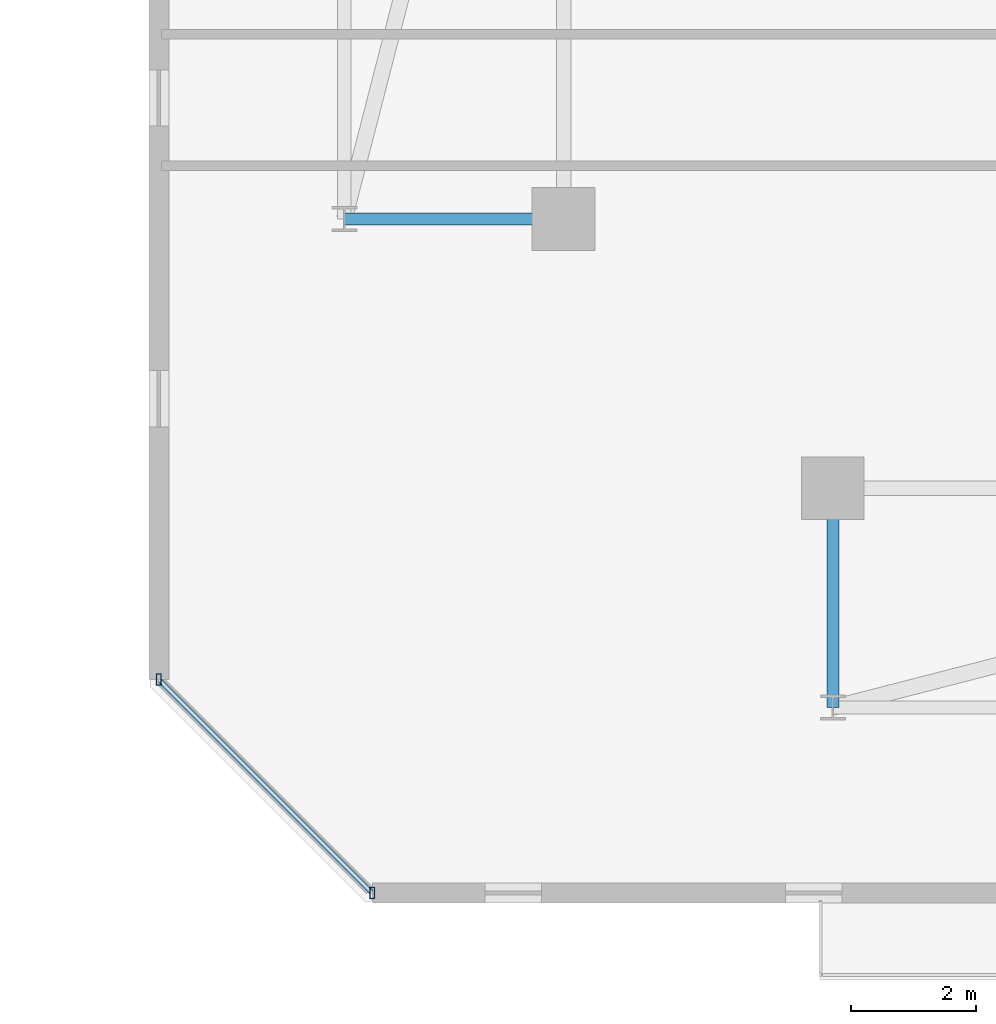
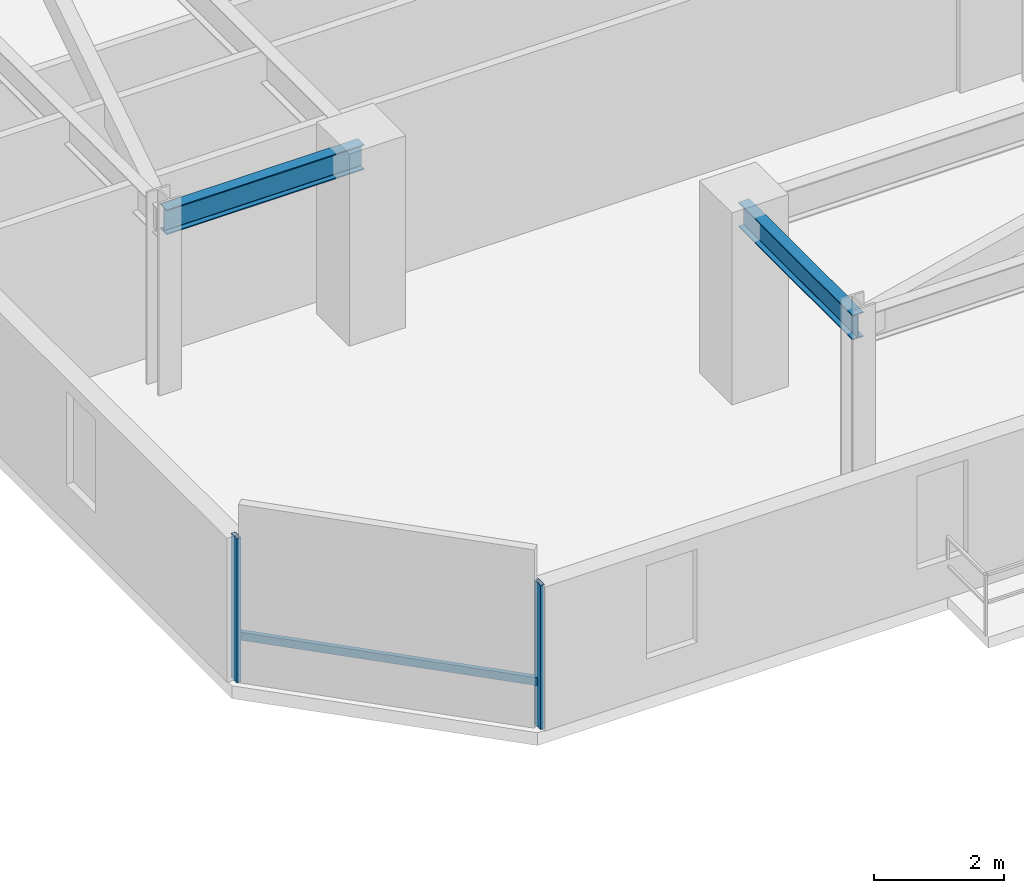
# One storey, part 11 of 33: 3 members, 2 beams, 1 element without a shape of its own.
"""IFC4 building model written with IfcOpenShell, lengths in metres."""

from ifc_helpers import new_model, si_unit, direction, frame, origin, origin_2d, place, context, subcontext, project, spatial, hollow_rectangle, i_section, extrude, material, material_profile, profile_set, type_object, element, aggregate, save


model = new_model("IFC4")

# Units and contexts
model_context = context("Model", 3, precision=1e-05, world=origin(), true_north=direction((0.0, 1.0)))
body_context = subcontext(model_context, "Body", "Model", "MODEL_VIEW")
ifc_project = project(units=[si_unit("LENGTHUNIT", "METRE"), si_unit("AREAUNIT", "SQUARE_METRE"), si_unit("VOLUMEUNIT", "CUBIC_METRE"), si_unit("PLANEANGLEUNIT", "RADIAN"), si_unit("MASSUNIT", "GRAM", prefix="KILO")], contexts=[model_context])

# Site, building, storey
site_placement = place(None, origin())
site = spatial("IfcSite", under=ifc_project, at=site_placement, CompositionType="ELEMENT")
building_placement = place(site_placement, origin())
building = spatial("IfcBuilding", under=site, at=building_placement, Name="Thornwick Lancets Civic Towers", CompositionType="ELEMENT")
storey_placement = place(building_placement, frame((0.0, 0.0, 210.89990234375)))
storey = spatial("IfcBuildingStorey", under=building, at=storey_placement, Name="L56", CompositionType="ELEMENT", Elevation=210.89990234375)

# Beams
ifc_material_1 = material(Name="Steel S355JR", Category="steel")
ifc_material_profile_1 = material_profile(ifc_material_1, i_section(OverallWidth=0.19287109375, OverallDepth=0.46728515625, WebThickness=0.011474609375, FlangeThickness=0.01953125, FilletRadius=0.01025390625, at=origin_2d()), Name="UKB 457x191x98")
ifc_profile_set_1 = profile_set([ifc_material_profile_1], Name="Steel S355JR")
beam_type = type_object("IfcBeamType", Name="BM_JOIST_457_98", PredefinedType="JOIST", material=ifc_profile_set_1)
for number, where, z_axis, x_axis, name in (
    (1, (71.199951171875, 14.0, 3.12646484375), (-1.0, 0.0, 0.0), (0.0, -1.0, 0.0), "BM-RAD-L56-B07"),
    (2, (75.5, 9.699951171875, 3.12646484375), (0.0, -1.0, 0.0), (1.0, 0.0, 0.0), "BM-RAD-L56-B12"),
):
    element("IfcBeam", number, at=place(storey_placement, frame(where, z_axis=z_axis, x_axis=x_axis)), inside=storey, type_object=beam_type, Name=name, PredefinedType="JOIST", context=body_context, shape_type="SweptSolid", body=[
        extrude(i_section(OverallWidth=0.19287109375, OverallDepth=0.46728515625, WebThickness=0.011474609375, FlangeThickness=0.01953125, FilletRadius=0.01025390625, at=origin_2d()), origin(), (0.0, 0.0, 1.0), 3.5),
    ])

# Curtain wall, members
ifc_material_2 = material(Name="High-zone chamfered-corner unitised glass curtain wall", Category="glass")
curtain_wall_type = type_object("IfcCurtainWallType", Name="CW_SYS_05", PredefinedType="NOTDEFINED", material=ifc_material_2)
curtain_wall_placement = place(storey_placement, origin())
curtain_wall = element("IfcCurtainWall", 3, at=curtain_wall_placement, inside=storey, type_object=curtain_wall_type, Name="L56 Curtain Wall CW-L56-B-E7", PredefinedType="NOTDEFINED")
ifc_material_3 = material(Name="Thermally broken bronze aluminium S355", Category="steel")
ifc_material_profile_2 = material_profile(ifc_material_3, hollow_rectangle(XDim=0.074951171875, YDim=0.179931640625, WallThickness=0.006103515625, at=origin_2d()), Name="RHS 180x75x6")
ifc_profile_set_2 = profile_set([ifc_material_profile_2], Name="Thermally broken bronze aluminium S355")
member_type_1 = type_object("IfcMemberType", Name="CW_MUL_180", PredefinedType="MULLION", material=ifc_profile_set_2)
member_1_placement = place(storey_placement, frame((64.738037109375, 6.646484375, 0.0), z_axis=(0.0, 0.0, 1.0), x_axis=(1.0, 0.0, 0.0)))
member_1 = element("IfcMember", 4, at=member_1_placement, type_object=member_type_1, Name="CW-L56-B-E7 Mullion 0", PredefinedType="MULLION", context=body_context, shape_type="SweptSolid", body=[
    extrude(hollow_rectangle(XDim=0.074951171875, YDim=0.179931640625, WallThickness=0.006103515625, at=origin_2d()), origin(), (0.0, 0.0, 1.0), 2.7001953125),
])
member_2_placement = place(storey_placement, frame((68.146484375, 3.238037109375, 0.0), z_axis=(0.0, 0.0, 1.0), x_axis=(1.0, 0.0, 0.0)))
member_2 = element("IfcMember", 5, at=member_2_placement, type_object=member_type_1, Name="CW-L56-B-E7 Mullion 1", PredefinedType="MULLION", context=body_context, shape_type="SweptSolid", body=[
    extrude(hollow_rectangle(XDim=0.074951171875, YDim=0.179931640625, WallThickness=0.006103515625, at=origin_2d()), origin(), (0.0, 0.0, 1.0), 2.7001953125),
])
ifc_material_profile_3 = material_profile(ifc_material_3, hollow_rectangle(XDim=0.074951171875, YDim=0.14990234375, WallThickness=0.0048828125, at=origin_2d()), Name="RHS 150x75x5")
ifc_profile_set_3 = profile_set([ifc_material_profile_3], Name="Thermally broken bronze aluminium S355")
member_type_2 = type_object("IfcMemberType", Name="CW_TRN_150", PredefinedType="USERDEFINED", material=ifc_profile_set_3)
member_3_placement = place(storey_placement, frame((64.752197265625, 6.63232421875, 0.85009765625), z_axis=(0.707106781187, -0.707106781187, 0.0), x_axis=(0.707106781187, 0.707106781187, 0.0)))
member_3 = element("IfcMember", 6, at=member_3_placement, type_object=member_type_2, Name="CW-L56-B-E7 Transom 0", ObjectType="TRANSOM", PredefinedType="USERDEFINED", context=body_context, shape_type="SweptSolid", body=[
    extrude(hollow_rectangle(XDim=0.074951171875, YDim=0.14990234375, WallThickness=0.0048828125, at=origin_2d()), origin(), (0.0, 0.0, 1.0), 4.7802734375),
])
aggregate(curtain_wall, [member_1, member_2, member_3])

save(model, "model.ifc")
